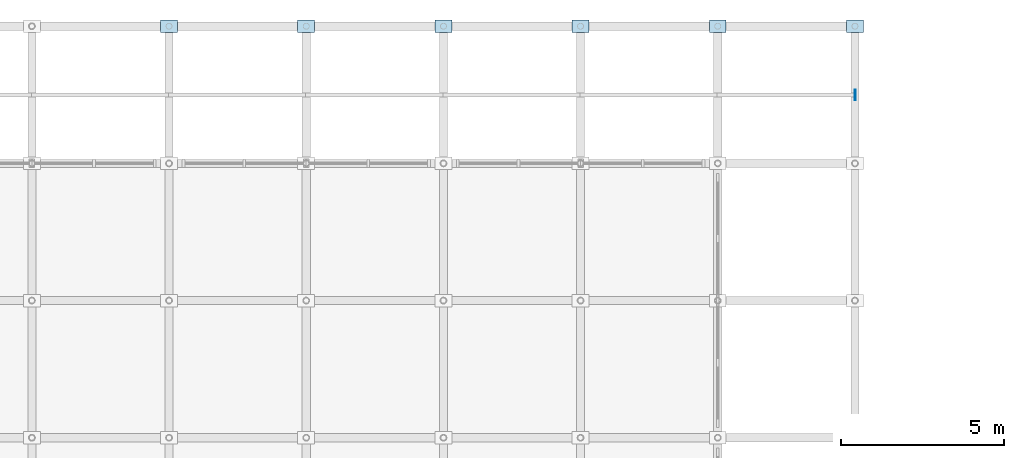
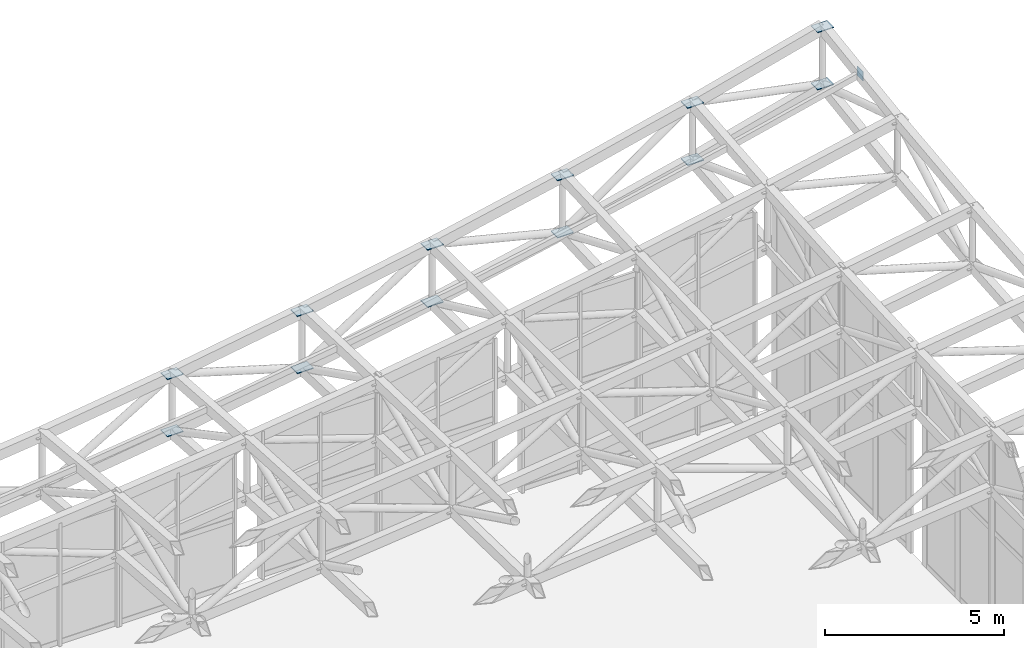
# One storey, part 82 of 111: 13 plates.
"""IFC4 building model written with IfcOpenShell, lengths in metres."""

from ifc_helpers import new_model, si_unit, direction, frame, origin, origin_2d, place, context, subcontext, project, spatial, rectangle, extrude, material, layer, layer_set, type_object, element, save


model = new_model("IFC4")

# Units and contexts
model_context = context("Model", 3, precision=1e-05, world=origin(), true_north=direction((0.0, 1.0)))
body_context = subcontext(model_context, "Body", "Model", "MODEL_VIEW")
ifc_project = project(units=[si_unit("LENGTHUNIT", "METRE"), si_unit("AREAUNIT", "SQUARE_METRE"), si_unit("VOLUMEUNIT", "CUBIC_METRE"), si_unit("PLANEANGLEUNIT", "RADIAN"), si_unit("MASSUNIT", "GRAM", prefix="KILO")], contexts=[model_context])

# Site, building, storey
site_placement = place(None, origin())
site = spatial("IfcSite", under=ifc_project, at=site_placement, CompositionType="ELEMENT")
building_placement = place(site_placement, origin())
building = spatial("IfcBuilding", under=site, at=building_placement, Name="Cumbredor Promenade Congress Hotel", CompositionType="ELEMENT")
storey_placement = place(building_placement, frame((0.0, 0.0, 15.1201171875)))
storey = spatial("IfcBuildingStorey", under=building, at=storey_placement, Name="L04", CompositionType="ELEMENT", Elevation=15.1201171875)

# Plates
ifc_material = material(Name="Steel ASTM A572 Grade 50", Category="steel")
ifc_layer_1 = layer(ifc_material, 0.030029296875, Name="Steel ASTM A572 Grade 50", Category="steel")
ifc_layer_set_1 = layer_set([ifc_layer_1], Name="Steel ASTM A572 Grade 50")
plate_type_1 = type_object("IfcPlateType", Name="Forum Truss Node Assembly ND-04", PredefinedType="USERDEFINED", material=ifc_layer_set_1)
for number, where, z_axis, x_axis, name in (
    (1, (159.60009765625, 121.800048828125, 4.53173828125), (0.0, 0.0, 1.0), (1.0, 0.0, 0.0), "Pre-Function and Breakout Meeting Forum Space Frame Top Node 18.11"),
    (2, (159.60009765625, 121.800048828125, 2.58203125), (0.0, 0.0, 1.0), (1.0, 0.0, 0.0), "Pre-Function and Breakout Meeting Forum Space Frame Bottom Node 18.11"),
    (3, (163.800048828125, 121.800048828125, 5.21875), (0.0, 0.0, 1.0), (1.0, 0.0, 0.0), "Pre-Function and Breakout Meeting Forum Space Frame Top Node 19.11"),
    (4, (163.800048828125, 121.800048828125, 3.26904296875), (0.0, 0.0, 1.0), (1.0, 0.0, 0.0), "Pre-Function and Breakout Meeting Forum Space Frame Bottom Node 19.11"),
    (5, (168.0, 121.800048828125, 6.01123046875), (0.0, 0.0, 1.0), (1.0, 0.0, 0.0), "Pre-Function and Breakout Meeting Forum Space Frame Top Node 20.11"),
    (6, (168.0, 121.800048828125, 4.06103515625), (0.0, 0.0, 1.0), (1.0, 0.0, 0.0), "Pre-Function and Breakout Meeting Forum Space Frame Bottom Node 20.11"),
    (7, (172.199951171875, 121.800048828125, 6.90869140625), (0.0, 0.0, 1.0), (1.0, 0.0, 0.0), "Pre-Function and Breakout Meeting Forum Space Frame Top Node 21.11"),
    (8, (172.199951171875, 121.800048828125, 4.958984375), (0.0, 0.0, 1.0), (1.0, 0.0, 0.0), "Pre-Function and Breakout Meeting Forum Space Frame Bottom Node 21.11"),
    (9, (176.39990234375, 121.800048828125, 7.91162109375), (0.0, 0.0, 1.0), (1.0, 0.0, 0.0), "Pre-Function and Breakout Meeting Forum Space Frame Top Node 22.11"),
    (10, (176.39990234375, 121.800048828125, 5.96142578125), (0.0, 0.0, 1.0), (1.0, 0.0, 0.0), "Pre-Function and Breakout Meeting Forum Space Frame Bottom Node 22.11"),
    (11, (180.60009765625, 121.800048828125, 9.0224609375), (0.0, 0.0, 1.0), (1.0, 0.0, 0.0), "Pre-Function and Breakout Meeting Forum Space Frame Top Node 23.11"),
    (12, (180.60009765625, 121.800048828125, 7.072265625), (0.0, 0.0, 1.0), (1.0, 0.0, 0.0), "Pre-Function and Breakout Meeting Forum Space Frame Bottom Node 23.11"),
):
    element("IfcPlate", number, at=place(storey_placement, frame(where, z_axis=z_axis, x_axis=x_axis)), inside=storey, type_object=plate_type_1, Name=name, ObjectType="GUSSET PLATE", PredefinedType="USERDEFINED", context=body_context, shape_type="SweptSolid", body=[
        extrude(rectangle(XDim=0.52001953125, YDim=0.3798828125, at=origin_2d()), origin(), (0.0, 0.0, 1.0), 0.030029296875),
    ])
ifc_layer_2 = layer(ifc_material, 0.02001953125, Name="Steel ASTM A572 Grade 50", Category="steel")
ifc_layer_set_2 = layer_set([ifc_layer_2], Name="Steel ASTM A572 Grade 50")
plate_type_2 = type_object("IfcPlateType", Name="Hollow Section End Cap Plate CP-05", PredefinedType="USERDEFINED", material=ifc_layer_set_2)
plate_placement = place(storey_placement, frame((180.607666015625, 119.699951171875, 8.5537109375), z_axis=(0.0, 0.0, 1.0), x_axis=(1.0, 0.0, 0.0)))
element("IfcPlate", 13, at=plate_placement, inside=storey, type_object=plate_type_2, Name="Pre-Function and Breakout Meeting Forum Roof Eave Purlin 22.10 End Cap Plate", ObjectType="CAP PLATE", PredefinedType="USERDEFINED", context=body_context, shape_type="SweptSolid", body=[
    extrude(rectangle(XDim=0.02001953125, YDim=0.320068359375, at=origin_2d()), origin(), (0.0, 0.0, 1.0), 0.320068359375),
])

save(model, "model.ifc")
